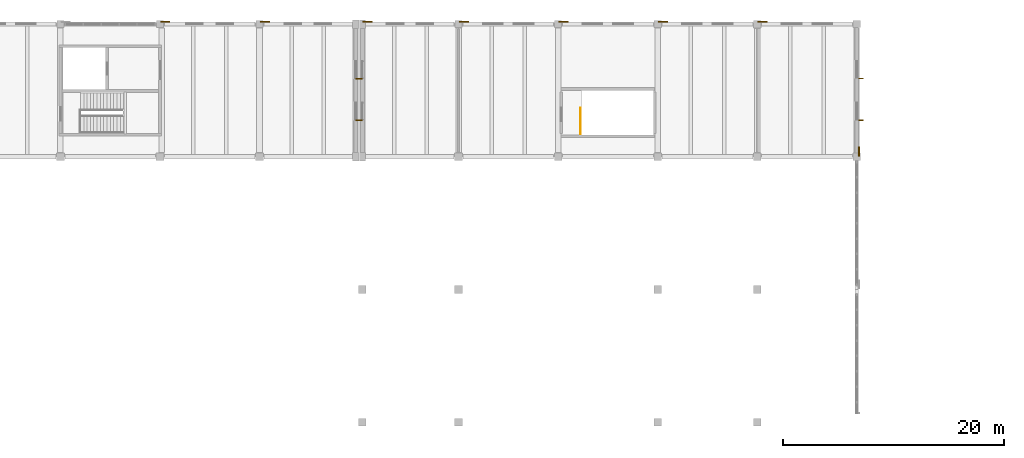
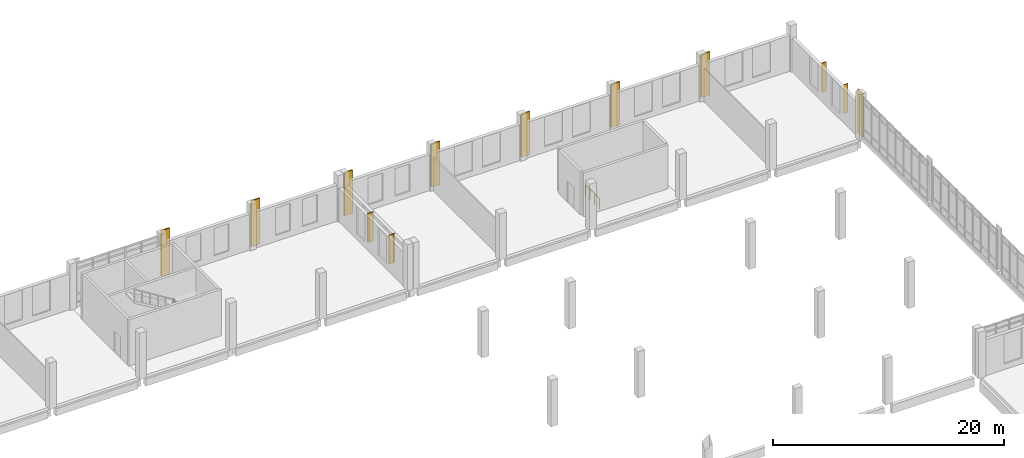
# One storey, part 110 of 110: 8 coverings, 6 shading devices, 1 railing.
"""IFC4 building model written with IfcOpenShell, lengths in metres."""

from ifc_helpers import new_model, si_unit, direction, frame, origin, origin_2d, place, context, subcontext, project, spatial, rectangle, circle, extrude, material, layer, layer_set, type_object, element, save


model = new_model("IFC4")

# Units and contexts
model_context = context("Model", 3, precision=1e-05, world=origin(), true_north=direction((0.0, 1.0)))
body_context = subcontext(model_context, "Body", "Model", "MODEL_VIEW")
ifc_project = project(units=[si_unit("LENGTHUNIT", "METRE"), si_unit("AREAUNIT", "SQUARE_METRE"), si_unit("VOLUMEUNIT", "CUBIC_METRE"), si_unit("PLANEANGLEUNIT", "RADIAN"), si_unit("MASSUNIT", "GRAM", prefix="KILO")], contexts=[model_context])

# Site, building, storey
site_placement = place(None, origin())
site = spatial("IfcSite", under=ifc_project, at=site_placement, CompositionType="ELEMENT")
building_placement = place(site_placement, origin())
building = spatial("IfcBuilding", under=site, at=building_placement, Name="Zacnel Wholesale Market", CompositionType="ELEMENT")
storey_placement = place(building_placement, frame((0.0, 0.0, 6.300048828125)))
storey = spatial("IfcBuildingStorey", under=building, at=storey_placement, Name="L02", CompositionType="ELEMENT", Elevation=6.300048828125)

# Coverings
ifc_material_1 = material(Name="Honed Yucatan Maya cream limestone", Category="masonry")
ifc_layer = layer(ifc_material_1, 0.090087890625)
ifc_layer_set = layer_set([ifc_layer], Name="Honed Yucatan Maya cream limestone")
covering_type = type_object("IfcCoveringType", Name="COV-CLAD-FRET", PredefinedType="CLADDING", material=ifc_layer_set)
for number, where, z_axis, x_axis, name in (
    (1, (126.47998046875, 144.2099609375, 0.02001953125), (0.0, 0.0, 1.0), (1.0, 0.0, 0.0), "Fluted Mayan-Deco limestone pilaster L02-0149"),
    (2, (135.47998046875, 144.2099609375, 0.02001953125), (0.0, 0.0, 1.0), (1.0, 0.0, 0.0), "Fluted Mayan-Deco limestone pilaster L02-0150"),
):
    element("IfcCovering", number, at=place(storey_placement, frame(where, z_axis=z_axis, x_axis=x_axis)), inside=storey, type_object=covering_type, Name=name, PredefinedType="CLADDING", context=body_context, shape_type="SweptSolid", body=[
        extrude(rectangle(XDim=0.85009765625, YDim=0.1201171875, at=origin_2d()), origin(), (0.0, 0.0, 1.0), 4.860107421875),
    ])
for number, where, z_axis, x_axis, name in (
    (3, (144.780029296875, 144.2099609375, 0.02001953125), (0.0, 0.0, 1.0), (1.0, 0.0, 0.0), "Fluted Mayan-Deco limestone pilaster L02-0151"),
    (4, (153.47998046875, 144.2099609375, 0.02001953125), (0.0, 0.0, 1.0), (1.0, 0.0, 0.0), "Fluted Mayan-Deco limestone pilaster L02-0152"),
    (5, (162.47998046875, 144.2099609375, 0.02001953125), (0.0, 0.0, 1.0), (1.0, 0.0, 0.0), "Fluted Mayan-Deco limestone pilaster L02-0153"),
    (6, (171.47998046875, 144.2099609375, 0.02001953125), (0.0, 0.0, 1.0), (1.0, 0.0, 0.0), "Fluted Mayan-Deco limestone pilaster L02-0154"),
    (7, (180.47998046875, 144.2099609375, 0.02001953125), (0.0, 0.0, 1.0), (1.0, 0.0, 0.0), "Fluted Mayan-Deco limestone pilaster L02-0155"),
    (8, (189.2099609375, 132.47998046875, 0.02001953125), (0.0, 0.0, 1.0), (0.0, 1.0, 0.0), "Fluted Mayan-Deco limestone pilaster L02-0156"),
):
    element("IfcCovering", number, at=place(storey_placement, frame(where, z_axis=z_axis, x_axis=x_axis)), inside=storey, type_object=covering_type, Name=name, PredefinedType="CLADDING", context=body_context, shape_type="SweptSolid", body=[
        extrude(rectangle(XDim=0.85009765625, YDim=0.1201171875, at=origin_2d()), origin(), (0.0, 0.0, 1.0), 4.580078125),
    ])

# Railing
ifc_material_2 = material(Name="Galvanized steel", Category="steel")
railing_type = type_object("IfcRailingType", Name="RAL-STAIR-GD1150", PredefinedType="BALUSTRADE", material=ifc_material_2)
railing_placement = place(storey_placement, frame((164.02001953125, 134.06005859375, 0.0)))
element("IfcRailing", 9, at=railing_placement, inside=storey, type_object=railing_type, Name="Stair balustrade INT-STAIR-ST-21-GDWELL-1", PredefinedType="BALUSTRADE", context=body_context, shape_type="SweptSolid", body=[
    extrude(circle(Radius=0.02392578125, at=origin_2d()), frame((0.0, 0.0, 1.1259765625), z_axis=(0.0, 1.0, 0.0), x_axis=(-1.0, 0.0, 0.0)), (0.0, 0.0, 1.0), 2.369873046875),
    extrude(circle(Radius=0.02099609375, at=origin_2d()), origin(), (0.0, 0.0, 1.0), 1.101806640625),
    extrude(circle(Radius=0.02099609375, at=origin_2d()), frame((0.0, 0.7900390625, 0.0)), (0.0, 0.0, 1.0), 1.101806640625),
    extrude(circle(Radius=0.02099609375, at=origin_2d()), frame((0.0, 1.579833984375, 0.0)), (0.0, 0.0, 1.0), 1.101806640625),
    extrude(circle(Radius=0.02099609375, at=origin_2d()), frame((0.0, 2.369873046875, 0.0)), (0.0, 0.0, 1.0), 1.101806640625),
])

# Shading devices
ifc_material_3 = material(Name="Honed Yucatan Maya cream limestone", Category="masonry")
shading_device_type = type_object("IfcShadingDeviceType", Name="SHD-FIN-V450", PredefinedType="USERDEFINED", material=ifc_material_3)
for number, where, z_axis, x_axis, name in (
    (10, (144.080078125, 135.31494140625, 0.5546875), (0.0, 0.0, 1.0), (0.0, 1.0, 0.0), "Limestone sunshade fin 0189"),
    (11, (144.080078125, 139.06494140625, 0.5546875), (0.0, 0.0, 1.0), (0.0, 1.0, 0.0), "Limestone sunshade fin 0190"),
    (12, (143.919921875, 135.31494140625, 0.53515625), (0.0, 0.0, 1.0), (0.0, 1.0, 0.0), "Limestone sunshade fin 0191"),
    (13, (143.919921875, 139.06494140625, 0.53515625), (0.0, 0.0, 1.0), (0.0, 1.0, 0.0), "Limestone sunshade fin 0192"),
    (14, (189.3798828125, 135.31494140625, 0.53515625), (0.0, 0.0, 1.0), (0.0, 1.0, 0.0), "Limestone sunshade fin 0193"),
    (15, (189.3798828125, 139.090087890625, 0.53515625), (0.0, 0.0, 1.0), (0.0, 1.0, 0.0), "Limestone sunshade fin 0194"),
):
    element("IfcShadingDevice", number, at=place(storey_placement, frame(where, z_axis=z_axis, x_axis=x_axis)), inside=storey, type_object=shading_device_type, Name=name, ObjectType="SUNSHADE", PredefinedType="USERDEFINED", context=body_context, shape_type="SweptSolid", body=[
        extrude(rectangle(XDim=0.080078125, YDim=0.43994140625, at=origin_2d()), origin(), (0.0, 0.0, 1.0), 3.050048828125),
    ])

save(model, "model.ifc")
